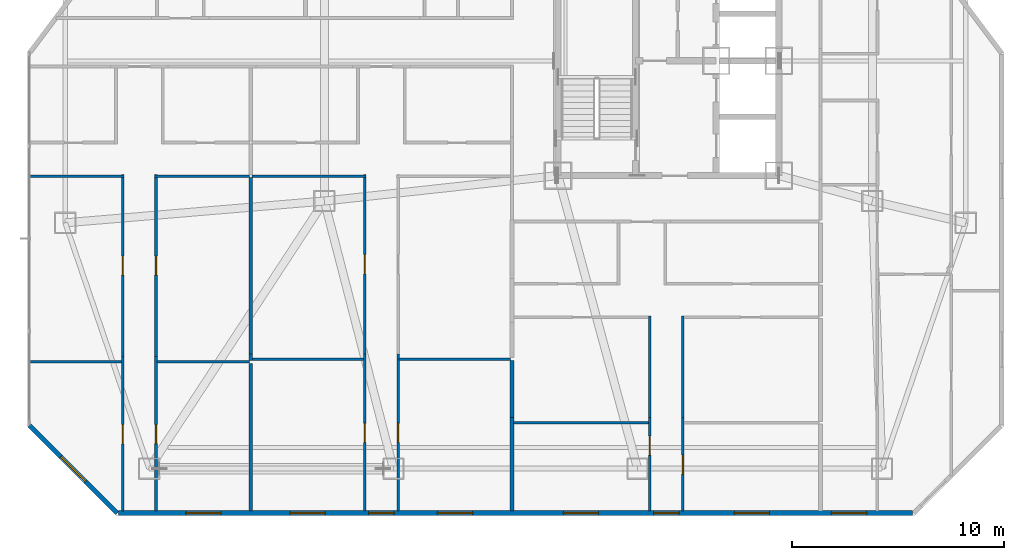
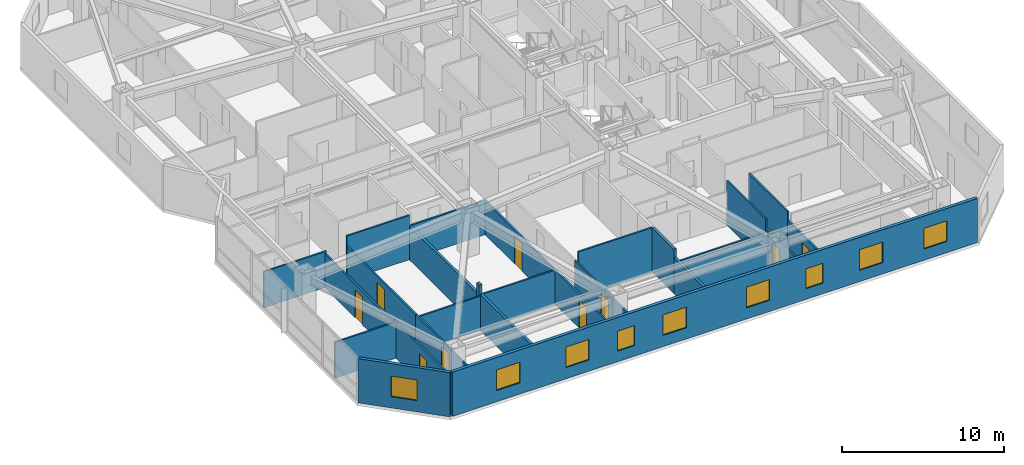
# One storey, part 11 of 18: 26 walls, 9 doors, 9 windows, 18 openings.
"""IFC4 building model written with IfcOpenShell, lengths in metres."""

from ifc_helpers import new_model, si_unit, direction, frame, frame_2d, origin, place, context, subcontext, project, spatial, rectangle, extrude, material, layer, layer_set, type_object, element, fill, save


model = new_model("IFC4")

# Units and contexts
model_context = context("Model", 3, precision=1e-05, world=origin(), true_north=direction((0.0, 1.0)))
body_context = subcontext(model_context, "Body", "Model", "MODEL_VIEW")
ifc_project = project(units=[si_unit("LENGTHUNIT", "METRE"), si_unit("AREAUNIT", "SQUARE_METRE"), si_unit("VOLUMEUNIT", "CUBIC_METRE"), si_unit("PLANEANGLEUNIT", "RADIAN"), si_unit("MASSUNIT", "GRAM", prefix="KILO")], contexts=[model_context])

# Site, building, storey
site_placement = place(None, origin())
site = spatial("IfcSite", under=ifc_project, at=site_placement, CompositionType="ELEMENT")
building_placement = place(site_placement, origin())
building = spatial("IfcBuilding", under=site, at=building_placement, Name="Khamvora Tower", CompositionType="ELEMENT")
storey_placement = place(building_placement, frame((0.0, 0.0, 80.75)))
storey = spatial("IfcBuildingStorey", under=building, at=storey_placement, Name="L20", CompositionType="ELEMENT", Elevation=80.75)

# Walls
ifc_material_1 = material(Name="Acoustic Double-Stud Fire Wall", Category="gypsum")
ifc_layer_1 = layer(ifc_material_1, 0.179931640625)
ifc_layer_set_1 = layer_set([ifc_layer_1], Name="Acoustic Double-Stud Fire Wall")
wall_type_1 = type_object("IfcWallType", Name="WAL-CORR-180", PredefinedType="STANDARD", material=ifc_layer_set_1)
wall_1_placement = place(storey_placement, frame((14.533935546875, 10.162109375, 0.0), z_axis=(0.0, 0.0, 1.0), x_axis=(0.0, -1.0, 0.0)))
element("IfcWall", 1, at=wall_1_placement, inside=storey, type_object=wall_type_1, Name="L20 interior partition wall 062", PredefinedType="STANDARD", context=body_context, shape_type="SweptSolid", body=[
    extrude(rectangle(XDim=6.9501953125, YDim=0.179931640625, at=frame_2d((3.47509765625, 0.0))), origin(), (0.0, 0.0, 1.0), 2.702880859375),
])
wall_2_placement = place(storey_placement, frame((14.533935546875, 10.60595703125, 0.0), z_axis=(0.0, 0.0, 1.0), x_axis=(0.0, -1.0, 0.0)))
element("IfcWall", 2, at=wall_2_placement, inside=storey, type_object=wall_type_1, Name="L20 interior partition wall 063", PredefinedType="STANDARD", context=body_context, shape_type="SweptSolid", body=[
    extrude(rectangle(XDim=0.31396484375, YDim=0.179931640625, at=frame_2d((0.156982421875, 0.0))), origin(), (0.0, 0.0, 1.0), 3.330078125),
])
wall_3_placement = place(storey_placement, frame((14.533935546875, 18.909912109375, 0.0), z_axis=(0.0, 0.0, 1.0), x_axis=(0.0, -1.0, 0.0)))
element("IfcWall", 3, at=wall_3_placement, inside=storey, type_object=wall_type_1, Name="L20 interior partition wall 064", PredefinedType="STANDARD", context=body_context, shape_type="SweptSolid", body=[
    extrude(rectangle(XDim=8.303955078125, YDim=0.179931640625, at=frame_2d((4.15185546875, 0.0))), origin(), (0.0, 0.0, 1.0), 2.547119140625),
])
wall_4_placement = place(storey_placement, frame((26.8349609375, 7.610107421875, 0.0), z_axis=(0.0, 0.0, 1.0), x_axis=(0.0, -1.0, 0.0)))
element("IfcWall", 4, at=wall_4_placement, inside=storey, type_object=wall_type_1, Name="L20 interior partition wall 077", PredefinedType="STANDARD", context=body_context, shape_type="SweptSolid", body=[
    extrude(rectangle(XDim=4.398193359375, YDim=0.179931640625, at=frame_2d((2.19921875, 0.0))), origin(), (0.0, 0.0, 1.0), 2.702880859375),
])
wall_5_placement = place(storey_placement, frame((26.8349609375, 10.2919921875, 0.0), z_axis=(0.0, 0.0, 1.0), x_axis=(0.0, -1.0, 0.0)))
element("IfcWall", 5, at=wall_5_placement, inside=storey, type_object=wall_type_1, Name="L20 interior partition wall 078", PredefinedType="STANDARD", context=body_context, shape_type="SweptSolid", body=[
    extrude(rectangle(XDim=2.681884765625, YDim=0.179931640625, at=frame_2d((1.3408203125, 0.0))), origin(), (0.0, 0.0, 1.0), 3.330078125),
])

# Wall, opening, window
ifc_material_2 = material(Name="Precast concrete C40/50", Category="concrete")
ifc_layer_2 = layer(ifc_material_2, 0.219970703125)
ifc_layer_set_2 = layer_set([ifc_layer_2], Name="Precast concrete C40/50")
wall_type_2 = type_object("IfcWallType", Name="WAL-EXT-220", PredefinedType="STANDARD", material=ifc_layer_set_2)
wall_6_placement = place(storey_placement, frame((8.24609375, 3.110107421875, 0.0), z_axis=(0.0, 0.0, 1.0), x_axis=(-0.707106781187, 0.707106781187, 0.0)))
wall_6 = element("IfcWall", 6, at=wall_6_placement, inside=storey, type_object=wall_type_2, Name="L20 exterior facade wall 01.1", PredefinedType="STANDARD", context=body_context, shape_type="SweptSolid", body=[
    extrude(rectangle(XDim=5.84912109375, YDim=0.219970703125, at=frame_2d((2.924560546875, 0.0))), origin(), (0.0, 0.0, 1.0), 3.330078125),
])
opening_1_placement = place(wall_6_placement, frame((2.10009765625, 0.0, 0.85009765625)))
opening_1 = element("IfcOpeningElement", 7, at=opening_1_placement, cuts=wall_6, Name="Opening WN-06", PredefinedType="OPENING", context=body_context, shape_type="SweptSolid", body=[
    extrude(rectangle(XDim=1.64990234375, YDim=1.550048828125, at=frame_2d((0.824951171875, 0.77490234375))), frame((0.0, 0.119873046875, 0.0), z_axis=(0.0, -1.0, 0.0), x_axis=(1.0, 0.0, 0.0)), (0.0, 0.0, 1.0), 0.239990234375),
])
ifc_material_3 = material(Name="Low-E Laminated Double Glazing", Category="glass")
window_type_1 = type_object("IfcWindowType", Name="WIN-VIS-1650x1550", PartitioningType="SINGLE_PANEL", PredefinedType="WINDOW", material=ifc_material_3)
window_1_placement = place(opening_1_placement, origin())
window_1 = element("IfcWindow", 8, at=window_1_placement, inside=storey, type_object=window_type_1, Name="L20 vision window 01.1.01", OverallHeight=1.550048828125, OverallWidth=1.64990234375, PartitioningType="SINGLE_PANEL", PredefinedType="WINDOW", context=body_context, shape_type="SweptSolid", body=[
    extrude(rectangle(XDim=1.64990234375, YDim=1.550048828125, at=frame_2d((0.824951171875, 0.77490234375))), frame((0.0, 0.030029296875, 0.0), z_axis=(0.0, -1.0, 0.0), x_axis=(1.0, 0.0, 0.0)), (0.0, 0.0, 1.0), 0.06005859375),
])
fill(opening_1, window_1)

# Wall, openings, windows
wall_7_placement = place(storey_placement, frame((45.68310546875, 3.110107421875, 0.0), z_axis=(0.0, 0.0, 1.0), x_axis=(-1.0, 0.0, 0.0)))
wall_7 = element("IfcWall", 9, at=wall_7_placement, inside=storey, type_object=wall_type_2, Name="L20 exterior facade wall 14.1", PredefinedType="STANDARD", context=body_context, shape_type="SweptSolid", body=[
    extrude(rectangle(XDim=37.3681640625, YDim=0.219970703125, at=frame_2d((18.68408203125, 0.0))), origin(), (0.0, 0.0, 1.0), 3.330078125),
])
opening_2_placement = place(wall_7_placement, frame((32.553955078125, 0.0, 0.85009765625)))
opening_2 = element("IfcOpeningElement", 10, at=opening_2_placement, cuts=wall_7, Name="Opening WN-06", PredefinedType="OPENING", context=body_context, shape_type="SweptSolid", body=[
    extrude(rectangle(XDim=1.64990234375, YDim=1.550048828125, at=frame_2d((0.824951171875, 0.77490234375))), frame((0.0, 0.119873046875, 0.0), z_axis=(0.0, -1.0, 0.0), x_axis=(1.0, 0.0, 0.0)), (0.0, 0.0, 1.0), 0.239990234375),
])
opening_3_placement = place(wall_7_placement, frame((24.39892578125, 0.0, 0.800048828125)))
opening_3 = element("IfcOpeningElement", 11, at=opening_3_placement, cuts=wall_7, Name="Opening WN-03", PredefinedType="OPENING", context=body_context, shape_type="SweptSolid", body=[
    extrude(rectangle(XDim=1.199951171875, YDim=1.5, at=frame_2d((0.60009765625, 0.75))), frame((0.0, 0.119873046875, 0.0), z_axis=(0.0, -1.0, 0.0), x_axis=(1.0, 0.0, 0.0)), (0.0, 0.0, 1.0), 0.239990234375),
])
opening_4_placement = place(wall_7_placement, frame((27.64208984375, 0.0, 0.85009765625)))
opening_4 = element("IfcOpeningElement", 12, at=opening_4_placement, cuts=wall_7, Name="Opening WN-06", PredefinedType="OPENING", context=body_context, shape_type="SweptSolid", body=[
    extrude(rectangle(XDim=1.64990234375, YDim=1.550048828125, at=frame_2d((0.824951171875, 0.77490234375))), frame((0.0, 0.119873046875, 0.0), z_axis=(0.0, -1.0, 0.0), x_axis=(1.0, 0.0, 0.0)), (0.0, 0.0, 1.0), 0.239990234375),
])
opening_5_placement = place(wall_7_placement, frame((20.7060546875, 0.0, 0.85009765625)))
opening_5 = element("IfcOpeningElement", 13, at=opening_5_placement, cuts=wall_7, Name="Opening WN-06", PredefinedType="OPENING", context=body_context, shape_type="SweptSolid", body=[
    extrude(rectangle(XDim=1.64990234375, YDim=1.550048828125, at=frame_2d((0.824951171875, 0.77490234375))), frame((0.0, 0.119873046875, 0.0), z_axis=(0.0, -1.0, 0.0), x_axis=(1.0, 0.0, 0.0)), (0.0, 0.0, 1.0), 0.239990234375),
])
opening_6_placement = place(wall_7_placement, frame((10.98291015625, 0.0, 0.800048828125)))
opening_6 = element("IfcOpeningElement", 14, at=opening_6_placement, cuts=wall_7, Name="Opening WN-03", PredefinedType="OPENING", context=body_context, shape_type="SweptSolid", body=[
    extrude(rectangle(XDim=1.199951171875, YDim=1.5, at=frame_2d((0.60009765625, 0.75))), frame((0.0, 0.119873046875, 0.0), z_axis=(0.0, -1.0, 0.0), x_axis=(1.0, 0.0, 0.0)), (0.0, 0.0, 1.0), 0.239990234375),
])
opening_7_placement = place(wall_7_placement, frame((14.782958984375, 0.0, 0.85009765625)))
opening_7 = element("IfcOpeningElement", 15, at=opening_7_placement, cuts=wall_7, Name="Opening WN-06", PredefinedType="OPENING", context=body_context, shape_type="SweptSolid", body=[
    extrude(rectangle(XDim=1.64990234375, YDim=1.550048828125, at=frame_2d((0.824951171875, 0.77490234375))), frame((0.0, 0.119873046875, 0.0), z_axis=(0.0, -1.0, 0.0), x_axis=(1.0, 0.0, 0.0)), (0.0, 0.0, 1.0), 0.239990234375),
])
opening_8_placement = place(wall_7_placement, frame((6.73291015625, 0.0, 0.85009765625)))
opening_8 = element("IfcOpeningElement", 16, at=opening_8_placement, cuts=wall_7, Name="Opening WN-06", PredefinedType="OPENING", context=body_context, shape_type="SweptSolid", body=[
    extrude(rectangle(XDim=1.64990234375, YDim=1.550048828125, at=frame_2d((0.824951171875, 0.77490234375))), frame((0.0, 0.119873046875, 0.0), z_axis=(0.0, -1.0, 0.0), x_axis=(1.0, 0.0, 0.0)), (0.0, 0.0, 1.0), 0.239990234375),
])
opening_9_placement = place(wall_7_placement, frame((2.156982421875, 0.0, 0.85009765625)))
opening_9 = element("IfcOpeningElement", 17, at=opening_9_placement, cuts=wall_7, Name="Opening WN-06", PredefinedType="OPENING", context=body_context, shape_type="SweptSolid", body=[
    extrude(rectangle(XDim=1.64990234375, YDim=1.550048828125, at=frame_2d((0.824951171875, 0.77490234375))), frame((0.0, 0.119873046875, 0.0), z_axis=(0.0, -1.0, 0.0), x_axis=(1.0, 0.0, 0.0)), (0.0, 0.0, 1.0), 0.239990234375),
])
window_type_2 = type_object("IfcWindowType", Name="WIN-VIS-1200x1500", PartitioningType="SINGLE_PANEL", PredefinedType="WINDOW", material=ifc_material_3)
window_2_placement = place(opening_3_placement, origin())
window_2 = element("IfcWindow", 18, at=window_2_placement, inside=storey, type_object=window_type_2, Name="L20 vision window 14.1.02", OverallHeight=1.5, OverallWidth=1.199951171875, PartitioningType="SINGLE_PANEL", PredefinedType="WINDOW", context=body_context, shape_type="SweptSolid", body=[
    extrude(rectangle(XDim=1.199951171875, YDim=1.5, at=frame_2d((0.60009765625, 0.75))), frame((0.0, 0.030029296875, 0.0), z_axis=(0.0, -1.0, 0.0), x_axis=(1.0, 0.0, 0.0)), (0.0, 0.0, 1.0), 0.06005859375),
])
fill(opening_3, window_2)
window_3_placement = place(opening_6_placement, origin())
window_3 = element("IfcWindow", 19, at=window_3_placement, inside=storey, type_object=window_type_2, Name="L20 vision window 14.1.05", OverallHeight=1.5, OverallWidth=1.199951171875, PartitioningType="SINGLE_PANEL", PredefinedType="WINDOW", context=body_context, shape_type="SweptSolid", body=[
    extrude(rectangle(XDim=1.199951171875, YDim=1.5, at=frame_2d((0.60009765625, 0.75))), frame((0.0, 0.030029296875, 0.0), z_axis=(0.0, -1.0, 0.0), x_axis=(1.0, 0.0, 0.0)), (0.0, 0.0, 1.0), 0.06005859375),
])
fill(opening_6, window_3)
window_4_placement = place(opening_2_placement, origin())
window_4 = element("IfcWindow", 20, at=window_4_placement, inside=storey, type_object=window_type_1, Name="L20 vision window 14.1.01", OverallHeight=1.550048828125, OverallWidth=1.64990234375, PartitioningType="SINGLE_PANEL", PredefinedType="WINDOW", context=body_context, shape_type="SweptSolid", body=[
    extrude(rectangle(XDim=1.64990234375, YDim=1.550048828125, at=frame_2d((0.824951171875, 0.77490234375))), frame((0.0, 0.030029296875, 0.0), z_axis=(0.0, -1.0, 0.0), x_axis=(1.0, 0.0, 0.0)), (0.0, 0.0, 1.0), 0.06005859375),
])
fill(opening_2, window_4)
window_5_placement = place(opening_4_placement, origin())
window_5 = element("IfcWindow", 21, at=window_5_placement, inside=storey, type_object=window_type_1, Name="L20 vision window 14.1.03", OverallHeight=1.550048828125, OverallWidth=1.64990234375, PartitioningType="SINGLE_PANEL", PredefinedType="WINDOW", context=body_context, shape_type="SweptSolid", body=[
    extrude(rectangle(XDim=1.64990234375, YDim=1.550048828125, at=frame_2d((0.824951171875, 0.77490234375))), frame((0.0, 0.030029296875, 0.0), z_axis=(0.0, -1.0, 0.0), x_axis=(1.0, 0.0, 0.0)), (0.0, 0.0, 1.0), 0.06005859375),
])
fill(opening_4, window_5)
window_6_placement = place(opening_5_placement, origin())
window_6 = element("IfcWindow", 22, at=window_6_placement, inside=storey, type_object=window_type_1, Name="L20 vision window 14.1.04", OverallHeight=1.550048828125, OverallWidth=1.64990234375, PartitioningType="SINGLE_PANEL", PredefinedType="WINDOW", context=body_context, shape_type="SweptSolid", body=[
    extrude(rectangle(XDim=1.64990234375, YDim=1.550048828125, at=frame_2d((0.824951171875, 0.77490234375))), frame((0.0, 0.030029296875, 0.0), z_axis=(0.0, -1.0, 0.0), x_axis=(1.0, 0.0, 0.0)), (0.0, 0.0, 1.0), 0.06005859375),
])
fill(opening_5, window_6)
window_7_placement = place(opening_7_placement, origin())
window_7 = element("IfcWindow", 23, at=window_7_placement, inside=storey, type_object=window_type_1, Name="L20 vision window 14.1.06", OverallHeight=1.550048828125, OverallWidth=1.64990234375, PartitioningType="SINGLE_PANEL", PredefinedType="WINDOW", context=body_context, shape_type="SweptSolid", body=[
    extrude(rectangle(XDim=1.64990234375, YDim=1.550048828125, at=frame_2d((0.824951171875, 0.77490234375))), frame((0.0, 0.030029296875, 0.0), z_axis=(0.0, -1.0, 0.0), x_axis=(1.0, 0.0, 0.0)), (0.0, 0.0, 1.0), 0.06005859375),
])
fill(opening_7, window_7)
window_8_placement = place(opening_8_placement, origin())
window_8 = element("IfcWindow", 24, at=window_8_placement, inside=storey, type_object=window_type_1, Name="L20 vision window 14.1.07", OverallHeight=1.550048828125, OverallWidth=1.64990234375, PartitioningType="SINGLE_PANEL", PredefinedType="WINDOW", context=body_context, shape_type="SweptSolid", body=[
    extrude(rectangle(XDim=1.64990234375, YDim=1.550048828125, at=frame_2d((0.824951171875, 0.77490234375))), frame((0.0, 0.030029296875, 0.0), z_axis=(0.0, -1.0, 0.0), x_axis=(1.0, 0.0, 0.0)), (0.0, 0.0, 1.0), 0.06005859375),
])
fill(opening_8, window_8)
window_9_placement = place(opening_9_placement, origin())
window_9 = element("IfcWindow", 25, at=window_9_placement, inside=storey, type_object=window_type_1, Name="L20 vision window 14.1.08", OverallHeight=1.550048828125, OverallWidth=1.64990234375, PartitioningType="SINGLE_PANEL", PredefinedType="WINDOW", context=body_context, shape_type="SweptSolid", body=[
    extrude(rectangle(XDim=1.64990234375, YDim=1.550048828125, at=frame_2d((0.824951171875, 0.77490234375))), frame((0.0, 0.030029296875, 0.0), z_axis=(0.0, -1.0, 0.0), x_axis=(1.0, 0.0, 0.0)), (0.0, 0.0, 1.0), 0.06005859375),
])
fill(opening_9, window_9)

# Wall, opening, door
ifc_material_4 = material(Name="Gypsum Plasterboard Partition", Category="gypsum")
ifc_layer_3 = layer(ifc_material_4, 0.1201171875)
ifc_layer_set_3 = layer_set([ifc_layer_3], Name="Gypsum Plasterboard Partition")
wall_type_3 = type_object("IfcWallType", Name="WAL-PART-120", PredefinedType="PARTITIONING", material=ifc_layer_set_3)
wall_8_placement = place(storey_placement, frame((8.50390625, 3.2119140625, 0.0), z_axis=(0.0, 0.0, 1.0), x_axis=(0.0, 1.0, 0.0)))
wall_8 = element("IfcWall", 26, at=wall_8_placement, inside=storey, type_object=wall_type_3, Name="L20 interior partition wall 052", PredefinedType="PARTITIONING", context=body_context, shape_type="SweptSolid", body=[
    extrude(rectangle(XDim=7.26416015625, YDim=0.1201171875, at=frame_2d((3.632080078125, 0.0))), origin(), (0.0, 0.0, 1.0), 2.702880859375),
])
opening_10_placement = place(wall_8_placement, frame((3.160888671875, 0.0, 0.0)))
opening_10 = element("IfcOpeningElement", 27, at=opening_10_placement, cuts=wall_8, Name="Opening D-RM1", PredefinedType="OPENING", context=body_context, shape_type="SweptSolid", body=[
    extrude(rectangle(XDim=0.89990234375, YDim=2.10009765625, at=frame_2d((0.449951171875, 1.050048828125))), frame((0.0, 0.070068359375, 0.0), z_axis=(0.0, -1.0, 0.0), x_axis=(1.0, 0.0, 0.0)), (0.0, 0.0, 1.0), 0.14013671875),
])
ifc_material_5 = material(Name="Powder-Coated Steel and Hardwood Leaf", Category="steel")
door_type = type_object("IfcDoorType", Name="DOR-ROOM-900", OperationType="NOTDEFINED", PredefinedType="DOOR", material=ifc_material_5)
door_1_placement = place(opening_10_placement, origin())
door_1 = element("IfcDoor", 28, at=door_1_placement, inside=storey, type_object=door_type, Name="L20 interior door 20WA1H-20WA1L", OperationType="SINGLE_SWING_RIGHT", OverallHeight=2.10009765625, OverallWidth=0.89990234375, PredefinedType="DOOR", context=body_context, shape_type="SweptSolid", body=[
    extrude(rectangle(XDim=0.89990234375, YDim=2.10009765625, at=frame_2d((0.449951171875, 1.050048828125))), frame((0.0, 0.02490234375, 0.0), z_axis=(0.0, -1.0, 0.0), x_axis=(1.0, 0.0, 0.0)), (0.0, 0.0, 1.0), 0.050048828125),
])
fill(opening_10, door_1)

wall_9_placement = place(storey_placement, frame((8.50390625, 10.47607421875, 0.0), z_axis=(0.0, 0.0, 1.0), x_axis=(0.0, 1.0, 0.0)))
wall_9 = element("IfcWall", 29, at=wall_9_placement, inside=storey, type_object=wall_type_3, Name="L20 interior partition wall 053", PredefinedType="PARTITIONING", context=body_context, shape_type="SweptSolid", body=[
    extrude(rectangle(XDim=8.56396484375, YDim=0.1201171875, at=frame_2d((4.281982421875, 0.0))), origin(), (0.0, 0.0, 1.0), 2.547119140625),
])
opening_11_placement = place(wall_9_placement, frame((3.83203125, 0.0, 0.0)))
opening_11 = element("IfcOpeningElement", 30, at=opening_11_placement, cuts=wall_9, Name="Opening D-RM1", PredefinedType="OPENING", context=body_context, shape_type="SweptSolid", body=[
    extrude(rectangle(XDim=0.89990234375, YDim=2.10009765625, at=frame_2d((0.449951171875, 1.050048828125))), frame((0.0, 0.070068359375, 0.0), z_axis=(0.0, -1.0, 0.0), x_axis=(1.0, 0.0, 0.0)), (0.0, 0.0, 1.0), 0.14013671875),
])
door_2_placement = place(opening_11_placement, origin())
door_2 = element("IfcDoor", 31, at=door_2_placement, inside=storey, type_object=door_type, Name="L20 interior door 20WA1H-20WA1R2", OperationType="SINGLE_SWING_RIGHT", OverallHeight=2.10009765625, OverallWidth=0.89990234375, PredefinedType="DOOR", context=body_context, shape_type="SweptSolid", body=[
    extrude(rectangle(XDim=0.89990234375, YDim=2.10009765625, at=frame_2d((0.449951171875, 1.050048828125))), frame((0.0, 0.02490234375, 0.0), z_axis=(0.0, -1.0, 0.0), x_axis=(1.0, 0.0, 0.0)), (0.0, 0.0, 1.0), 0.050048828125),
])
fill(opening_11, door_2)

# Wall
wall_10_placement = place(storey_placement, frame((8.569091796875, 18.97509765625, 0.0), z_axis=(0.0, 0.0, 1.0), x_axis=(-1.0, 0.0, 0.0)))
element("IfcWall", 32, at=wall_10_placement, inside=storey, type_object=wall_type_3, Name="L20 interior partition wall 054", PredefinedType="PARTITIONING", context=body_context, shape_type="SweptSolid", body=[
    extrude(rectangle(XDim=4.458984375, YDim=0.1201171875, at=frame_2d((2.2294921875, 0.0))), origin(), (0.0, 0.0, 1.0), 2.702880859375),
])

# Wall, opening, door
wall_11_placement = place(storey_placement, frame((10.073974609375, 10.47607421875, 0.0), z_axis=(0.0, 0.0, 1.0), x_axis=(0.0, -1.0, 0.0)))
wall_11 = element("IfcWall", 33, at=wall_11_placement, inside=storey, type_object=wall_type_3, Name="L20 interior partition wall 055", PredefinedType="PARTITIONING", context=body_context, shape_type="SweptSolid", body=[
    extrude(rectangle(XDim=7.26416015625, YDim=0.1201171875, at=frame_2d((3.632080078125, 0.0))), origin(), (0.0, 0.0, 1.0), 2.547119140625),
])
opening_12_placement = place(wall_11_placement, frame((3.202880859375, 0.0, 0.0)))
opening_12 = element("IfcOpeningElement", 34, at=opening_12_placement, cuts=wall_11, Name="Opening D-RM1", PredefinedType="OPENING", context=body_context, shape_type="SweptSolid", body=[
    extrude(rectangle(XDim=0.89990234375, YDim=2.10009765625, at=frame_2d((0.449951171875, 1.050048828125))), frame((0.0, 0.070068359375, 0.0), z_axis=(0.0, -1.0, 0.0), x_axis=(1.0, 0.0, 0.0)), (0.0, 0.0, 1.0), 0.14013671875),
])
door_3_placement = place(opening_12_placement, origin())
door_3 = element("IfcDoor", 35, at=door_3_placement, inside=storey, type_object=door_type, Name="L20 interior door 20WA1H-20WA1R3", OperationType="SINGLE_SWING_LEFT", OverallHeight=2.10009765625, OverallWidth=0.89990234375, PredefinedType="DOOR", context=body_context, shape_type="SweptSolid", body=[
    extrude(rectangle(XDim=0.89990234375, YDim=2.10009765625, at=frame_2d((0.449951171875, 1.050048828125))), frame((0.0, 0.02490234375, 0.0), z_axis=(0.0, -1.0, 0.0), x_axis=(1.0, 0.0, 0.0)), (0.0, 0.0, 1.0), 0.050048828125),
])
fill(opening_12, door_3)

# Wall
wall_12_placement = place(storey_placement, frame((14.468994140625, 18.97509765625, 0.0), z_axis=(0.0, 0.0, 1.0), x_axis=(-1.0, 0.0, 0.0)))
element("IfcWall", 36, at=wall_12_placement, inside=storey, type_object=wall_type_3, Name="L20 interior partition wall 056", PredefinedType="PARTITIONING", context=body_context, shape_type="SweptSolid", body=[
    extrude(rectangle(XDim=4.4599609375, YDim=0.1201171875, at=frame_2d((2.22998046875, 0.0))), origin(), (0.0, 0.0, 1.0), 3.330078125),
])

# Wall, opening, door
wall_13_placement = place(storey_placement, frame((10.073974609375, 19.0400390625, 0.0), z_axis=(0.0, 0.0, 1.0), x_axis=(0.0, -1.0, 0.0)))
wall_13 = element("IfcWall", 37, at=wall_13_placement, inside=storey, type_object=wall_type_3, Name="L20 interior partition wall 057", PredefinedType="PARTITIONING", context=body_context, shape_type="SweptSolid", body=[
    extrude(rectangle(XDim=8.56396484375, YDim=0.1201171875, at=frame_2d((4.281982421875, 0.0))), origin(), (0.0, 0.0, 1.0), 2.547119140625),
])
opening_13_placement = place(wall_13_placement, frame((3.83203125, 0.0, 0.0)))
opening_13 = element("IfcOpeningElement", 38, at=opening_13_placement, cuts=wall_13, Name="Opening D-RM1", PredefinedType="OPENING", context=body_context, shape_type="SweptSolid", body=[
    extrude(rectangle(XDim=0.89990234375, YDim=2.10009765625, at=frame_2d((0.449951171875, 1.050048828125))), frame((0.0, 0.070068359375, 0.0), z_axis=(0.0, -1.0, 0.0), x_axis=(1.0, 0.0, 0.0)), (0.0, 0.0, 1.0), 0.14013671875),
])
door_4_placement = place(opening_13_placement, origin())
door_4 = element("IfcDoor", 39, at=door_4_placement, inside=storey, type_object=door_type, Name="L20 interior door 20WA1H-20WA1R4", OperationType="SINGLE_SWING_RIGHT", OverallHeight=2.10009765625, OverallWidth=0.89990234375, PredefinedType="DOOR", context=body_context, shape_type="SweptSolid", body=[
    extrude(rectangle(XDim=0.89990234375, YDim=2.10009765625, at=frame_2d((0.449951171875, 1.050048828125))), frame((0.0, 0.02490234375, 0.0), z_axis=(0.0, -1.0, 0.0), x_axis=(1.0, 0.0, 0.0)), (0.0, 0.0, 1.0), 0.050048828125),
])
fill(opening_13, door_4)

# Walls
wall_14_placement = place(storey_placement, frame((4.110107421875, 10.22705078125, 0.0), z_axis=(0.0, 0.0, 1.0), x_axis=(1.0, 0.0, 0.0)))
element("IfcWall", 40, at=wall_14_placement, inside=storey, type_object=wall_type_3, Name="L20 interior partition wall 060", PredefinedType="PARTITIONING", context=body_context, shape_type="SweptSolid", body=[
    extrude(rectangle(XDim=4.33984375, YDim=0.1201171875, at=frame_2d((2.169921875, 0.0))), origin(), (0.0, 0.0, 1.0), 2.702880859375),
])
wall_15_placement = place(storey_placement, frame((10.1279296875, 10.22705078125, 0.0), z_axis=(0.0, 0.0, 1.0), x_axis=(1.0, 0.0, 0.0)))
element("IfcWall", 41, at=wall_15_placement, inside=storey, type_object=wall_type_3, Name="L20 interior partition wall 061", PredefinedType="PARTITIONING", context=body_context, shape_type="SweptSolid", body=[
    extrude(rectangle(XDim=4.341064453125, YDim=0.1201171875, at=frame_2d((2.17041015625, 0.0))), origin(), (0.0, 0.0, 1.0), 2.547119140625),
])

# Wall, opening, door
wall_16_placement = place(storey_placement, frame((19.89892578125, 3.2119140625, 0.0), z_axis=(0.0, 0.0, 1.0), x_axis=(0.0, 1.0, 0.0)))
wall_16 = element("IfcWall", 42, at=wall_16_placement, inside=storey, type_object=wall_type_3, Name="L20 interior partition wall 069", PredefinedType="PARTITIONING", context=body_context, shape_type="SweptSolid", body=[
    extrude(rectangle(XDim=7.39404296875, YDim=0.1201171875, at=frame_2d((3.697021484375, 0.0))), origin(), (0.0, 0.0, 1.0), 2.547119140625),
])
opening_14_placement = place(wall_16_placement, frame((3.22607421875, 0.0, 0.0)))
opening_14 = element("IfcOpeningElement", 43, at=opening_14_placement, cuts=wall_16, Name="Opening D-RM1", PredefinedType="OPENING", context=body_context, shape_type="SweptSolid", body=[
    extrude(rectangle(XDim=0.89990234375, YDim=2.10009765625, at=frame_2d((0.449951171875, 1.050048828125))), frame((0.0, 0.070068359375, 0.0), z_axis=(0.0, -1.0, 0.0), x_axis=(1.0, 0.0, 0.0)), (0.0, 0.0, 1.0), 0.14013671875),
])
door_5_placement = place(opening_14_placement, origin())
door_5 = element("IfcDoor", 44, at=door_5_placement, inside=storey, type_object=door_type, Name="L20 interior door 20WA2H-20WA2R1", OperationType="SINGLE_SWING_LEFT", OverallHeight=2.10009765625, OverallWidth=0.89990234375, PredefinedType="DOOR", context=body_context, shape_type="SweptSolid", body=[
    extrude(rectangle(XDim=0.89990234375, YDim=2.10009765625, at=frame_2d((0.449951171875, 1.050048828125))), frame((0.0, 0.02490234375, 0.0), z_axis=(0.0, -1.0, 0.0), x_axis=(1.0, 0.0, 0.0)), (0.0, 0.0, 1.0), 0.050048828125),
])
fill(opening_14, door_5)

# Wall
wall_17_placement = place(storey_placement, frame((19.964111328125, 18.97509765625, 0.0), z_axis=(0.0, 0.0, 1.0), x_axis=(-1.0, 0.0, 0.0)))
element("IfcWall", 45, at=wall_17_placement, inside=storey, type_object=wall_type_3, Name="L20 interior partition wall 070", PredefinedType="PARTITIONING", context=body_context, shape_type="SweptSolid", body=[
    extrude(rectangle(XDim=5.364990234375, YDim=0.1201171875, at=frame_2d((2.6826171875, 0.0))), origin(), (0.0, 0.0, 1.0), 2.547119140625),
])

# Wall, opening, door
wall_18_placement = place(storey_placement, frame((19.89892578125, 10.60595703125, 0.0), z_axis=(0.0, 0.0, 1.0), x_axis=(0.0, 1.0, 0.0)))
wall_18 = element("IfcWall", 46, at=wall_18_placement, inside=storey, type_object=wall_type_3, Name="L20 interior partition wall 071", PredefinedType="PARTITIONING", context=body_context, shape_type="SweptSolid", body=[
    extrude(rectangle(XDim=8.43408203125, YDim=0.1201171875, at=frame_2d((4.217041015625, 0.0))), origin(), (0.0, 0.0, 1.0), 2.547119140625),
])
opening_15_placement = place(wall_18_placement, frame((3.76708984375, 0.0, 0.0)))
opening_15 = element("IfcOpeningElement", 47, at=opening_15_placement, cuts=wall_18, Name="Opening D-RM1", PredefinedType="OPENING", context=body_context, shape_type="SweptSolid", body=[
    extrude(rectangle(XDim=0.89990234375, YDim=2.10009765625, at=frame_2d((0.449951171875, 1.050048828125))), frame((0.0, 0.070068359375, 0.0), z_axis=(0.0, -1.0, 0.0), x_axis=(1.0, 0.0, 0.0)), (0.0, 0.0, 1.0), 0.14013671875),
])
door_6_placement = place(opening_15_placement, origin())
door_6 = element("IfcDoor", 48, at=door_6_placement, inside=storey, type_object=door_type, Name="L20 interior door 20WA2H-20WA2R2", OperationType="SINGLE_SWING_RIGHT", OverallHeight=2.10009765625, OverallWidth=0.89990234375, PredefinedType="DOOR", context=body_context, shape_type="SweptSolid", body=[
    extrude(rectangle(XDim=0.89990234375, YDim=2.10009765625, at=frame_2d((0.449951171875, 1.050048828125))), frame((0.0, 0.02490234375, 0.0), z_axis=(0.0, -1.0, 0.0), x_axis=(1.0, 0.0, 0.0)), (0.0, 0.0, 1.0), 0.050048828125),
])
fill(opening_15, door_6)

wall_19_placement = place(storey_placement, frame((21.468994140625, 10.60595703125, 0.0), z_axis=(0.0, 0.0, 1.0), x_axis=(0.0, -1.0, 0.0)))
wall_19 = element("IfcWall", 49, at=wall_19_placement, inside=storey, type_object=wall_type_3, Name="L20 interior partition wall 072", PredefinedType="PARTITIONING", context=body_context, shape_type="SweptSolid", body=[
    extrude(rectangle(XDim=7.39404296875, YDim=0.1201171875, at=frame_2d((3.697021484375, 0.0))), origin(), (0.0, 0.0, 1.0), 2.547119140625),
])
opening_16_placement = place(wall_19_placement, frame((3.26806640625, 0.0, 0.0)))
opening_16 = element("IfcOpeningElement", 50, at=opening_16_placement, cuts=wall_19, Name="Opening D-RM1", PredefinedType="OPENING", context=body_context, shape_type="SweptSolid", body=[
    extrude(rectangle(XDim=0.89990234375, YDim=2.10009765625, at=frame_2d((0.449951171875, 1.050048828125))), frame((0.0, 0.070068359375, 0.0), z_axis=(0.0, -1.0, 0.0), x_axis=(1.0, 0.0, 0.0)), (0.0, 0.0, 1.0), 0.14013671875),
])
door_7_placement = place(opening_16_placement, origin())
door_7 = element("IfcDoor", 51, at=door_7_placement, inside=storey, type_object=door_type, Name="L20 interior door 20WA2H-20WA2R3", OperationType="SINGLE_SWING_LEFT", OverallHeight=2.10009765625, OverallWidth=0.89990234375, PredefinedType="DOOR", context=body_context, shape_type="SweptSolid", body=[
    extrude(rectangle(XDim=0.89990234375, YDim=2.10009765625, at=frame_2d((0.449951171875, 1.050048828125))), frame((0.0, 0.02490234375, 0.0), z_axis=(0.0, -1.0, 0.0), x_axis=(1.0, 0.0, 0.0)), (0.0, 0.0, 1.0), 0.050048828125),
])
fill(opening_16, door_7)

# Walls
wall_20_placement = place(storey_placement, frame((14.615966796875, 10.35693359375, 0.0), z_axis=(0.0, 0.0, 1.0), x_axis=(1.0, 0.0, 0.0)))
element("IfcWall", 52, at=wall_20_placement, inside=storey, type_object=wall_type_3, Name="L20 interior partition wall 075", PredefinedType="PARTITIONING", context=body_context, shape_type="SweptSolid", body=[
    extrude(rectangle(XDim=5.22900390625, YDim=0.1201171875, at=frame_2d((2.614501953125, 0.0))), origin(), (0.0, 0.0, 1.0), 2.547119140625),
])
wall_21_placement = place(storey_placement, frame((21.52294921875, 10.35693359375, 0.0), z_axis=(0.0, 0.0, 1.0), x_axis=(1.0, 0.0, 0.0)))
element("IfcWall", 53, at=wall_21_placement, inside=storey, type_object=wall_type_3, Name="L20 interior partition wall 076", PredefinedType="PARTITIONING", context=body_context, shape_type="SweptSolid", body=[
    extrude(rectangle(XDim=5.2470703125, YDim=0.1201171875, at=frame_2d((2.62353515625, 0.0))), origin(), (0.0, 0.0, 1.0), 3.330078125),
])

# Wall, opening, door
wall_22_placement = place(storey_placement, frame((33.31494140625, 3.2119140625, 0.0), z_axis=(0.0, 0.0, 1.0), x_axis=(0.0, 1.0, 0.0)))
wall_22 = element("IfcWall", 54, at=wall_22_placement, inside=storey, type_object=wall_type_3, Name="L20 interior partition wall 123", PredefinedType="PARTITIONING", context=body_context, shape_type="SweptSolid", body=[
    extrude(rectangle(XDim=4.398193359375, YDim=0.1201171875, at=frame_2d((2.19921875, 0.0))), origin(), (0.0, 0.0, 1.0), 2.702880859375),
])
opening_17_placement = place(wall_22_placement, frame((2.623046875, 0.0, 0.0)))
opening_17 = element("IfcOpeningElement", 55, at=opening_17_placement, cuts=wall_22, Name="Opening D-RM1", PredefinedType="OPENING", context=body_context, shape_type="SweptSolid", body=[
    extrude(rectangle(XDim=0.89990234375, YDim=2.10009765625, at=frame_2d((0.449951171875, 1.050048828125))), frame((0.0, 0.070068359375, 0.0), z_axis=(0.0, -1.0, 0.0), x_axis=(1.0, 0.0, 0.0)), (0.0, 0.0, 1.0), 0.14013671875),
])
door_8_placement = place(opening_17_placement, origin())
door_8 = element("IfcDoor", 56, at=door_8_placement, inside=storey, type_object=door_type, Name="L20 interior door 20SAH-20SAL", OperationType="SINGLE_SWING_RIGHT", OverallHeight=2.10009765625, OverallWidth=0.89990234375, PredefinedType="DOOR", context=body_context, shape_type="SweptSolid", body=[
    extrude(rectangle(XDim=0.89990234375, YDim=2.10009765625, at=frame_2d((0.449951171875, 1.050048828125))), frame((0.0, 0.02490234375, 0.0), z_axis=(0.0, -1.0, 0.0), x_axis=(1.0, 0.0, 0.0)), (0.0, 0.0, 1.0), 0.050048828125),
])
fill(opening_17, door_8)

# Wall
wall_23_placement = place(storey_placement, frame((33.31494140625, 7.610107421875, 0.0), z_axis=(0.0, 0.0, 1.0), x_axis=(0.0, 1.0, 0.0)))
element("IfcWall", 57, at=wall_23_placement, inside=storey, type_object=wall_type_3, Name="L20 interior partition wall 124", PredefinedType="PARTITIONING", context=body_context, shape_type="SweptSolid", body=[
    extrude(rectangle(XDim=4.781005859375, YDim=0.1201171875, at=frame_2d((2.390625, 0.0))), origin(), (0.0, 0.0, 1.0), 3.330078125),
])

# Wall, opening, door
wall_24_placement = place(storey_placement, frame((34.885009765625, 7.610107421875, 0.0), z_axis=(0.0, 0.0, 1.0), x_axis=(0.0, -1.0, 0.0)))
wall_24 = element("IfcWall", 58, at=wall_24_placement, inside=storey, type_object=wall_type_3, Name="L20 interior partition wall 126", PredefinedType="PARTITIONING", context=body_context, shape_type="SweptSolid", body=[
    extrude(rectangle(XDim=4.398193359375, YDim=0.1201171875, at=frame_2d((2.19921875, 0.0))), origin(), (0.0, 0.0, 1.0), 2.702880859375),
])
opening_18_placement = place(wall_24_placement, frame((1.77001953125, 0.0, 0.0)))
opening_18 = element("IfcOpeningElement", 59, at=opening_18_placement, cuts=wall_24, Name="Opening D-RM1", PredefinedType="OPENING", context=body_context, shape_type="SweptSolid", body=[
    extrude(rectangle(XDim=0.89990234375, YDim=2.10009765625, at=frame_2d((0.449951171875, 1.050048828125))), frame((0.0, 0.070068359375, 0.0), z_axis=(0.0, -1.0, 0.0), x_axis=(1.0, 0.0, 0.0)), (0.0, 0.0, 1.0), 0.14013671875),
])
door_9_placement = place(opening_18_placement, origin())
door_9 = element("IfcDoor", 60, at=door_9_placement, inside=storey, type_object=door_type, Name="L20 interior door 20SAH-20SAR3", OperationType="SINGLE_SWING_LEFT", OverallHeight=2.10009765625, OverallWidth=0.89990234375, PredefinedType="DOOR", context=body_context, shape_type="SweptSolid", body=[
    extrude(rectangle(XDim=0.89990234375, YDim=2.10009765625, at=frame_2d((0.449951171875, 1.050048828125))), frame((0.0, 0.02490234375, 0.0), z_axis=(0.0, -1.0, 0.0), x_axis=(1.0, 0.0, 0.0)), (0.0, 0.0, 1.0), 0.050048828125),
])
fill(opening_18, door_9)

# Walls
wall_25_placement = place(storey_placement, frame((34.885009765625, 12.39111328125, 0.0), z_axis=(0.0, 0.0, 1.0), x_axis=(0.0, -1.0, 0.0)))
element("IfcWall", 61, at=wall_25_placement, inside=storey, type_object=wall_type_3, Name="L20 interior partition wall 128", PredefinedType="PARTITIONING", context=body_context, shape_type="SweptSolid", body=[
    extrude(rectangle(XDim=4.781005859375, YDim=0.1201171875, at=frame_2d((2.390625, 0.0))), origin(), (0.0, 0.0, 1.0), 3.330078125),
])
wall_26_placement = place(storey_placement, frame((26.9169921875, 7.361083984375, 0.0), z_axis=(0.0, 0.0, 1.0), x_axis=(1.0, 0.0, 0.0)))
element("IfcWall", 62, at=wall_26_placement, inside=storey, type_object=wall_type_3, Name="L20 interior partition wall 131", PredefinedType="PARTITIONING", context=body_context, shape_type="SweptSolid", body=[
    extrude(rectangle(XDim=6.343994140625, YDim=0.1201171875, at=frame_2d((3.171875, 0.0))), origin(), (0.0, 0.0, 1.0), 2.547119140625),
])

save(model, "model.ifc")
